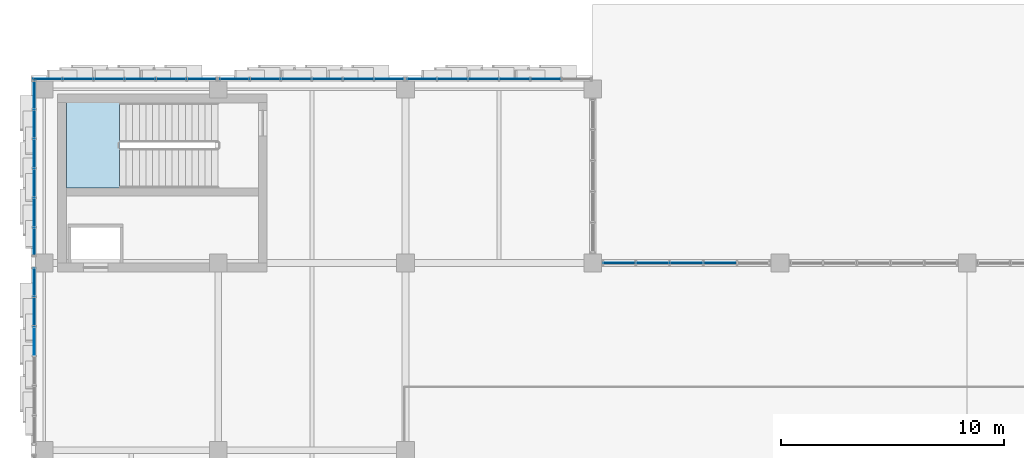
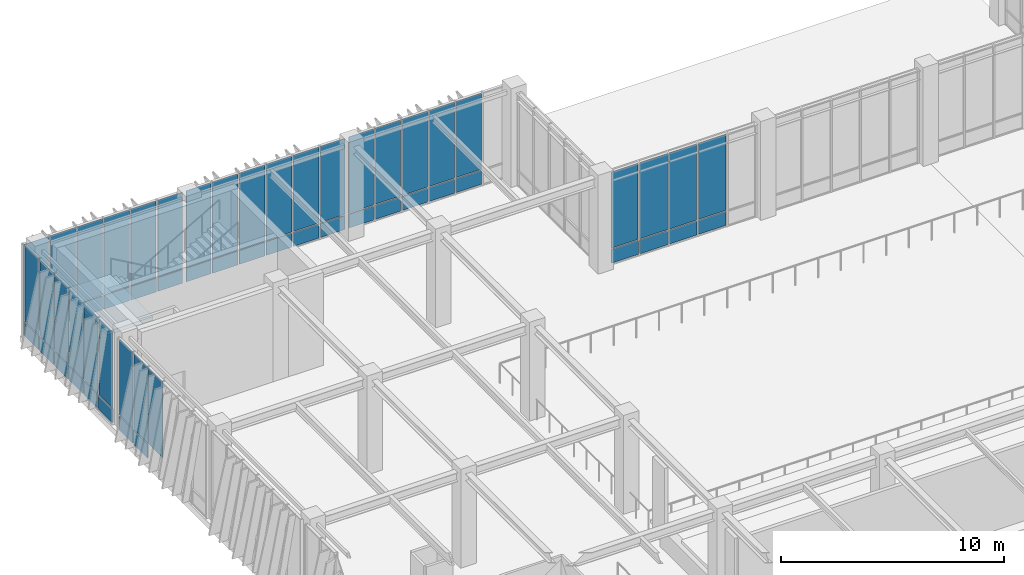
# One storey, part 93 of 139: 59 plates, 1 slab, 7 elements without a shape of their own.
"""IFC4 building model written with IfcOpenShell, lengths in metres."""

from ifc_helpers import new_model, si_unit, direction, frame, origin, origin_2d, place, context, subcontext, project, spatial, polyline, rectangle, outline, extrude, material, layer, layer_set, type_object, element, aggregate, save


model = new_model("IFC4")

# Units and contexts
model_context = context("Model", 3, precision=1e-05, world=origin(), true_north=direction((0.0, 1.0)))
body_context = subcontext(model_context, "Body", "Model", "MODEL_VIEW")
ifc_project = project(units=[si_unit("LENGTHUNIT", "METRE"), si_unit("AREAUNIT", "SQUARE_METRE"), si_unit("VOLUMEUNIT", "CUBIC_METRE"), si_unit("PLANEANGLEUNIT", "RADIAN"), si_unit("MASSUNIT", "GRAM", prefix="KILO")], contexts=[model_context])

# Site, building, storey
site_placement = place(None, origin())
site = spatial("IfcSite", under=ifc_project, at=site_placement, CompositionType="ELEMENT")
building_placement = place(site_placement, origin())
building = spatial("IfcBuilding", under=site, at=building_placement, Name="Zayran Congress Hotel", CompositionType="ELEMENT")
storey_placement = place(building_placement, frame((0.0, 0.0, 5.39990234375)))
storey = spatial("IfcBuildingStorey", under=building, at=storey_placement, Name="L01", CompositionType="ELEMENT", Elevation=5.39990234375)

# Curtain wall, plates
ifc_material_1 = material(Name="Anodised aluminium and low-E insulated glass", Category="aluminium")
ifc_layer_1 = layer(ifc_material_1, 0.179931640625)
ifc_layer_set_1 = layer_set([ifc_layer_1], Name="Anodised aluminium and low-E insulated glass")
curtain_wall_type_1 = type_object("IfcCurtainWallType", Name="CW-V1N-L01-CW-21-8360-5080", PredefinedType="USERDEFINED", material=ifc_layer_set_1)
curtain_wall_1_placement = place(storey_placement, origin())
curtain_wall_1 = element("IfcCurtainWall", 1, at=curtain_wall_1_placement, inside=storey, type_object=curtain_wall_type_1, Name="CW-V1N-L01-0", ObjectType="CURTAIN WALL", PredefinedType="USERDEFINED")
ifc_layer_2 = layer(ifc_material_1, 0.028076171875)
ifc_layer_set_2 = layer_set([ifc_layer_2], Name="Anodised aluminium and low-E insulated glass")
plate_type_1 = type_object("IfcPlateType", Name="CWP-GL-1273-4150", PredefinedType="CURTAIN_PANEL", material=ifc_layer_set_2)
plate_1_placement = place(storey_placement, frame((16.063232421875, 117.85009765625, 0.8701171875), z_axis=(0.0, 0.0, 1.0), x_axis=(1.0, 0.0, 0.0)))
plate_1 = element("IfcPlate", 2, at=plate_1_placement, type_object=plate_type_1, Name="CW-21 Glazed Panel 1", PredefinedType="CURTAIN_PANEL", context=body_context, shape_type="SweptSolid", body=[
    extrude(rectangle(XDim=1.273193359375, YDim=0.028076171875, at=origin_2d()), origin(), (0.0, 0.0, 1.0), 4.14990234375),
])
plate_2_placement = place(storey_placement, frame((14.68994140625, 117.85009765625, 0.8701171875), z_axis=(0.0, 0.0, 1.0), x_axis=(1.0, 0.0, 0.0)))
plate_2 = element("IfcPlate", 3, at=plate_2_placement, type_object=plate_type_1, Name="CW-21 Glazed Panel 2", PredefinedType="CURTAIN_PANEL", context=body_context, shape_type="SweptSolid", body=[
    extrude(rectangle(XDim=1.313232421875, YDim=0.028076171875, at=origin_2d()), origin(), (0.0, 0.0, 1.0), 4.14990234375),
])
plate_3_placement = place(storey_placement, frame((13.296630859375, 117.85009765625, 0.8701171875), z_axis=(0.0, 0.0, 1.0), x_axis=(1.0, 0.0, 0.0)))
plate_3 = element("IfcPlate", 4, at=plate_3_placement, type_object=plate_type_1, Name="CW-21 Glazed Panel 3", PredefinedType="CURTAIN_PANEL", context=body_context, shape_type="SweptSolid", body=[
    extrude(rectangle(XDim=1.313232421875, YDim=0.028076171875, at=origin_2d()), origin(), (0.0, 0.0, 1.0), 4.14990234375),
])
plate_4_placement = place(storey_placement, frame((11.9033203125, 117.85009765625, 0.8701171875), z_axis=(0.0, 0.0, 1.0), x_axis=(1.0, 0.0, 0.0)))
plate_4 = element("IfcPlate", 5, at=plate_4_placement, type_object=plate_type_1, Name="CW-21 Glazed Panel 4", PredefinedType="CURTAIN_PANEL", context=body_context, shape_type="SweptSolid", body=[
    extrude(rectangle(XDim=1.313232421875, YDim=0.028076171875, at=origin_2d()), origin(), (0.0, 0.0, 1.0), 4.14990234375),
])
plate_5_placement = place(storey_placement, frame((10.510009765625, 117.85009765625, 0.8701171875), z_axis=(0.0, 0.0, 1.0), x_axis=(1.0, 0.0, 0.0)))
plate_5 = element("IfcPlate", 6, at=plate_5_placement, type_object=plate_type_1, Name="CW-21 Glazed Panel 5", PredefinedType="CURTAIN_PANEL", context=body_context, shape_type="SweptSolid", body=[
    extrude(rectangle(XDim=1.313232421875, YDim=0.028076171875, at=origin_2d()), origin(), (0.0, 0.0, 1.0), 4.14990234375),
])
plate_6_placement = place(storey_placement, frame((9.13671875, 117.85009765625, 0.8701171875), z_axis=(0.0, 0.0, 1.0), x_axis=(1.0, 0.0, 0.0)))
plate_6 = element("IfcPlate", 7, at=plate_6_placement, type_object=plate_type_1, Name="CW-21 Glazed Panel 6", PredefinedType="CURTAIN_PANEL", context=body_context, shape_type="SweptSolid", body=[
    extrude(rectangle(XDim=1.273193359375, YDim=0.028076171875, at=origin_2d()), origin(), (0.0, 0.0, 1.0), 4.14990234375),
])

ifc_layer_3 = layer(ifc_material_1, 0.179931640625)
ifc_layer_set_3 = layer_set([ifc_layer_3], Name="Anodised aluminium and low-E insulated glass")
curtain_wall_type_2 = type_object("IfcCurtainWallType", Name="CW-V1N-L01-CW-22-8360-5080", PredefinedType="USERDEFINED", material=ifc_layer_set_3)
curtain_wall_2_placement = place(storey_placement, origin())
curtain_wall_2 = element("IfcCurtainWall", 8, at=curtain_wall_2_placement, inside=storey, type_object=curtain_wall_type_2, Name="CW-V1N-L01-1", ObjectType="CURTAIN WALL", PredefinedType="USERDEFINED")
plate_7_placement = place(storey_placement, frame((24.46337890625, 117.85009765625, 0.8701171875), z_axis=(0.0, 0.0, 1.0), x_axis=(1.0, 0.0, 0.0)))
plate_7 = element("IfcPlate", 9, at=plate_7_placement, type_object=plate_type_1, Name="CW-22 Glazed Panel 1", PredefinedType="CURTAIN_PANEL", context=body_context, shape_type="SweptSolid", body=[
    extrude(rectangle(XDim=1.273193359375, YDim=0.028076171875, at=origin_2d()), origin(), (0.0, 0.0, 1.0), 4.14990234375),
])
plate_8_placement = place(storey_placement, frame((23.090087890625, 117.85009765625, 0.8701171875), z_axis=(0.0, 0.0, 1.0), x_axis=(1.0, 0.0, 0.0)))
plate_8 = element("IfcPlate", 10, at=plate_8_placement, type_object=plate_type_1, Name="CW-22 Glazed Panel 2", PredefinedType="CURTAIN_PANEL", context=body_context, shape_type="SweptSolid", body=[
    extrude(rectangle(XDim=1.313232421875, YDim=0.028076171875, at=origin_2d()), origin(), (0.0, 0.0, 1.0), 4.14990234375),
])
plate_9_placement = place(storey_placement, frame((21.69677734375, 117.85009765625, 0.8701171875), z_axis=(0.0, 0.0, 1.0), x_axis=(1.0, 0.0, 0.0)))
plate_9 = element("IfcPlate", 11, at=plate_9_placement, type_object=plate_type_1, Name="CW-22 Glazed Panel 3", PredefinedType="CURTAIN_PANEL", context=body_context, shape_type="SweptSolid", body=[
    extrude(rectangle(XDim=1.313232421875, YDim=0.028076171875, at=origin_2d()), origin(), (0.0, 0.0, 1.0), 4.14990234375),
])
plate_10_placement = place(storey_placement, frame((20.30322265625, 117.85009765625, 0.8701171875), z_axis=(0.0, 0.0, 1.0), x_axis=(1.0, 0.0, 0.0)))
plate_10 = element("IfcPlate", 12, at=plate_10_placement, type_object=plate_type_1, Name="CW-22 Glazed Panel 4", PredefinedType="CURTAIN_PANEL", context=body_context, shape_type="SweptSolid", body=[
    extrude(rectangle(XDim=1.313232421875, YDim=0.028076171875, at=origin_2d()), origin(), (0.0, 0.0, 1.0), 4.14990234375),
])
plate_11_placement = place(storey_placement, frame((18.909912109375, 117.85009765625, 0.8701171875), z_axis=(0.0, 0.0, 1.0), x_axis=(1.0, 0.0, 0.0)))
plate_11 = element("IfcPlate", 13, at=plate_11_placement, type_object=plate_type_1, Name="CW-22 Glazed Panel 5", PredefinedType="CURTAIN_PANEL", context=body_context, shape_type="SweptSolid", body=[
    extrude(rectangle(XDim=1.313232421875, YDim=0.028076171875, at=origin_2d()), origin(), (0.0, 0.0, 1.0), 4.14990234375),
])
plate_12_placement = place(storey_placement, frame((17.53662109375, 117.85009765625, 0.8701171875), z_axis=(0.0, 0.0, 1.0), x_axis=(1.0, 0.0, 0.0)))
plate_12 = element("IfcPlate", 14, at=plate_12_placement, type_object=plate_type_1, Name="CW-22 Glazed Panel 6", PredefinedType="CURTAIN_PANEL", context=body_context, shape_type="SweptSolid", body=[
    extrude(rectangle(XDim=1.273193359375, YDim=0.028076171875, at=origin_2d()), origin(), (0.0, 0.0, 1.0), 4.14990234375),
])

ifc_layer_4 = layer(ifc_material_1, 0.179931640625)
ifc_layer_set_4 = layer_set([ifc_layer_4], Name="Anodised aluminium and low-E insulated glass")
curtain_wall_type_3 = type_object("IfcCurtainWallType", Name="CW-V1N-L01-CW-23-8360-5080", PredefinedType="USERDEFINED", material=ifc_layer_set_4)
curtain_wall_3_placement = place(storey_placement, origin())
curtain_wall_3 = element("IfcCurtainWall", 15, at=curtain_wall_3_placement, inside=storey, type_object=curtain_wall_type_3, Name="CW-V1N-L01-2", ObjectType="CURTAIN WALL", PredefinedType="USERDEFINED")
plate_13_placement = place(storey_placement, frame((31.489990234375, 117.85009765625, 0.8701171875), z_axis=(0.0, 0.0, 1.0), x_axis=(1.0, 0.0, 0.0)))
plate_13 = element("IfcPlate", 16, at=plate_13_placement, type_object=plate_type_1, Name="CW-23 Glazed Panel 2", PredefinedType="CURTAIN_PANEL", context=body_context, shape_type="SweptSolid", body=[
    extrude(rectangle(XDim=1.313232421875, YDim=0.028076171875, at=origin_2d()), origin(), (0.0, 0.0, 1.0), 4.14990234375),
])
plate_14_placement = place(storey_placement, frame((30.0966796875, 117.85009765625, 0.8701171875), z_axis=(0.0, 0.0, 1.0), x_axis=(1.0, 0.0, 0.0)))
plate_14 = element("IfcPlate", 17, at=plate_14_placement, type_object=plate_type_1, Name="CW-23 Glazed Panel 3", PredefinedType="CURTAIN_PANEL", context=body_context, shape_type="SweptSolid", body=[
    extrude(rectangle(XDim=1.313232421875, YDim=0.028076171875, at=origin_2d()), origin(), (0.0, 0.0, 1.0), 4.14990234375),
])
plate_15_placement = place(storey_placement, frame((28.703369140625, 117.85009765625, 0.8701171875), z_axis=(0.0, 0.0, 1.0), x_axis=(1.0, 0.0, 0.0)))
plate_15 = element("IfcPlate", 18, at=plate_15_placement, type_object=plate_type_1, Name="CW-23 Glazed Panel 4", PredefinedType="CURTAIN_PANEL", context=body_context, shape_type="SweptSolid", body=[
    extrude(rectangle(XDim=1.313232421875, YDim=0.028076171875, at=origin_2d()), origin(), (0.0, 0.0, 1.0), 4.14990234375),
])
plate_16_placement = place(storey_placement, frame((27.31005859375, 117.85009765625, 0.8701171875), z_axis=(0.0, 0.0, 1.0), x_axis=(1.0, 0.0, 0.0)))
plate_16 = element("IfcPlate", 19, at=plate_16_placement, type_object=plate_type_1, Name="CW-23 Glazed Panel 5", PredefinedType="CURTAIN_PANEL", context=body_context, shape_type="SweptSolid", body=[
    extrude(rectangle(XDim=1.313232421875, YDim=0.028076171875, at=origin_2d()), origin(), (0.0, 0.0, 1.0), 4.14990234375),
])
plate_17_placement = place(storey_placement, frame((25.936767578125, 117.85009765625, 0.8701171875), z_axis=(0.0, 0.0, 1.0), x_axis=(1.0, 0.0, 0.0)))
plate_17 = element("IfcPlate", 20, at=plate_17_placement, type_object=plate_type_1, Name="CW-23 Glazed Panel 6", PredefinedType="CURTAIN_PANEL", context=body_context, shape_type="SweptSolid", body=[
    extrude(rectangle(XDim=1.273193359375, YDim=0.028076171875, at=origin_2d()), origin(), (0.0, 0.0, 1.0), 4.14990234375),
])

# Plate
ifc_material_2 = material(Name="Insulated warm bronze aluminium spandrel panel", Category="aluminium")
ifc_layer_5 = layer(ifc_material_2, 0.06005859375)
ifc_layer_set_5 = layer_set([ifc_layer_5], Name="Insulated warm bronze aluminium spandrel panel")
plate_type_2 = type_object("IfcPlateType", Name="CWP-SP-1273-750", PredefinedType="CURTAIN_PANEL", material=ifc_layer_set_5)
plate_18_placement = place(storey_placement, frame((16.063232421875, 117.85009765625, 0.06005859375), z_axis=(0.0, 0.0, 1.0), x_axis=(1.0, 0.0, 0.0)))
plate_18 = element("IfcPlate", 21, at=plate_18_placement, type_object=plate_type_2, Name="CW-21 Spandrel Panel 1", PredefinedType="CURTAIN_PANEL", context=body_context, shape_type="SweptSolid", body=[
    extrude(rectangle(XDim=1.273193359375, YDim=0.06005859375, at=origin_2d()), origin(), (0.0, 0.0, 1.0), 0.75),
])

plate_19_placement = place(storey_placement, frame((14.68994140625, 117.85009765625, 0.06005859375), z_axis=(0.0, 0.0, 1.0), x_axis=(1.0, 0.0, 0.0)))
plate_19 = element("IfcPlate", 22, at=plate_19_placement, type_object=plate_type_2, Name="CW-21 Spandrel Panel 2", PredefinedType="CURTAIN_PANEL", context=body_context, shape_type="SweptSolid", body=[
    extrude(rectangle(XDim=1.313232421875, YDim=0.06005859375, at=origin_2d()), origin(), (0.0, 0.0, 1.0), 0.75),
])

plate_20_placement = place(storey_placement, frame((13.296630859375, 117.85009765625, 0.06005859375), z_axis=(0.0, 0.0, 1.0), x_axis=(1.0, 0.0, 0.0)))
plate_20 = element("IfcPlate", 23, at=plate_20_placement, type_object=plate_type_2, Name="CW-21 Spandrel Panel 3", PredefinedType="CURTAIN_PANEL", context=body_context, shape_type="SweptSolid", body=[
    extrude(rectangle(XDim=1.313232421875, YDim=0.06005859375, at=origin_2d()), origin(), (0.0, 0.0, 1.0), 0.75),
])

plate_21_placement = place(storey_placement, frame((11.9033203125, 117.85009765625, 0.06005859375), z_axis=(0.0, 0.0, 1.0), x_axis=(1.0, 0.0, 0.0)))
plate_21 = element("IfcPlate", 24, at=plate_21_placement, type_object=plate_type_2, Name="CW-21 Spandrel Panel 4", PredefinedType="CURTAIN_PANEL", context=body_context, shape_type="SweptSolid", body=[
    extrude(rectangle(XDim=1.313232421875, YDim=0.06005859375, at=origin_2d()), origin(), (0.0, 0.0, 1.0), 0.75),
])

plate_22_placement = place(storey_placement, frame((10.510009765625, 117.85009765625, 0.06005859375), z_axis=(0.0, 0.0, 1.0), x_axis=(1.0, 0.0, 0.0)))
plate_22 = element("IfcPlate", 25, at=plate_22_placement, type_object=plate_type_2, Name="CW-21 Spandrel Panel 5", PredefinedType="CURTAIN_PANEL", context=body_context, shape_type="SweptSolid", body=[
    extrude(rectangle(XDim=1.313232421875, YDim=0.06005859375, at=origin_2d()), origin(), (0.0, 0.0, 1.0), 0.75),
])

plate_23_placement = place(storey_placement, frame((9.13671875, 117.85009765625, 0.06005859375), z_axis=(0.0, 0.0, 1.0), x_axis=(1.0, 0.0, 0.0)))
plate_23 = element("IfcPlate", 26, at=plate_23_placement, type_object=plate_type_2, Name="CW-21 Spandrel Panel 6", PredefinedType="CURTAIN_PANEL", context=body_context, shape_type="SweptSolid", body=[
    extrude(rectangle(XDim=1.273193359375, YDim=0.06005859375, at=origin_2d()), origin(), (0.0, 0.0, 1.0), 0.75),
])

aggregate(curtain_wall_1, [plate_18, plate_1, plate_19, plate_2, plate_20, plate_3, plate_21, plate_4, plate_22, plate_5, plate_23, plate_6])

plate_24_placement = place(storey_placement, frame((24.46337890625, 117.85009765625, 0.06005859375), z_axis=(0.0, 0.0, 1.0), x_axis=(1.0, 0.0, 0.0)))
plate_24 = element("IfcPlate", 27, at=plate_24_placement, type_object=plate_type_2, Name="CW-22 Spandrel Panel 1", PredefinedType="CURTAIN_PANEL", context=body_context, shape_type="SweptSolid", body=[
    extrude(rectangle(XDim=1.273193359375, YDim=0.06005859375, at=origin_2d()), origin(), (0.0, 0.0, 1.0), 0.75),
])

plate_25_placement = place(storey_placement, frame((23.090087890625, 117.85009765625, 0.06005859375), z_axis=(0.0, 0.0, 1.0), x_axis=(1.0, 0.0, 0.0)))
plate_25 = element("IfcPlate", 28, at=plate_25_placement, type_object=plate_type_2, Name="CW-22 Spandrel Panel 2", PredefinedType="CURTAIN_PANEL", context=body_context, shape_type="SweptSolid", body=[
    extrude(rectangle(XDim=1.313232421875, YDim=0.06005859375, at=origin_2d()), origin(), (0.0, 0.0, 1.0), 0.75),
])

plate_26_placement = place(storey_placement, frame((21.69677734375, 117.85009765625, 0.06005859375), z_axis=(0.0, 0.0, 1.0), x_axis=(1.0, 0.0, 0.0)))
plate_26 = element("IfcPlate", 29, at=plate_26_placement, type_object=plate_type_2, Name="CW-22 Spandrel Panel 3", PredefinedType="CURTAIN_PANEL", context=body_context, shape_type="SweptSolid", body=[
    extrude(rectangle(XDim=1.313232421875, YDim=0.06005859375, at=origin_2d()), origin(), (0.0, 0.0, 1.0), 0.75),
])

plate_27_placement = place(storey_placement, frame((20.30322265625, 117.85009765625, 0.06005859375), z_axis=(0.0, 0.0, 1.0), x_axis=(1.0, 0.0, 0.0)))
plate_27 = element("IfcPlate", 30, at=plate_27_placement, type_object=plate_type_2, Name="CW-22 Spandrel Panel 4", PredefinedType="CURTAIN_PANEL", context=body_context, shape_type="SweptSolid", body=[
    extrude(rectangle(XDim=1.313232421875, YDim=0.06005859375, at=origin_2d()), origin(), (0.0, 0.0, 1.0), 0.75),
])

plate_28_placement = place(storey_placement, frame((18.909912109375, 117.85009765625, 0.06005859375), z_axis=(0.0, 0.0, 1.0), x_axis=(1.0, 0.0, 0.0)))
plate_28 = element("IfcPlate", 31, at=plate_28_placement, type_object=plate_type_2, Name="CW-22 Spandrel Panel 5", PredefinedType="CURTAIN_PANEL", context=body_context, shape_type="SweptSolid", body=[
    extrude(rectangle(XDim=1.313232421875, YDim=0.06005859375, at=origin_2d()), origin(), (0.0, 0.0, 1.0), 0.75),
])

plate_29_placement = place(storey_placement, frame((17.53662109375, 117.85009765625, 0.06005859375), z_axis=(0.0, 0.0, 1.0), x_axis=(1.0, 0.0, 0.0)))
plate_29 = element("IfcPlate", 32, at=plate_29_placement, type_object=plate_type_2, Name="CW-22 Spandrel Panel 6", PredefinedType="CURTAIN_PANEL", context=body_context, shape_type="SweptSolid", body=[
    extrude(rectangle(XDim=1.273193359375, YDim=0.06005859375, at=origin_2d()), origin(), (0.0, 0.0, 1.0), 0.75),
])

aggregate(curtain_wall_2, [plate_24, plate_7, plate_25, plate_8, plate_26, plate_9, plate_27, plate_10, plate_28, plate_11, plate_29, plate_12])

plate_30_placement = place(storey_placement, frame((31.489990234375, 117.85009765625, 0.06005859375), z_axis=(0.0, 0.0, 1.0), x_axis=(1.0, 0.0, 0.0)))
plate_30 = element("IfcPlate", 33, at=plate_30_placement, type_object=plate_type_2, Name="CW-23 Spandrel Panel 2", PredefinedType="CURTAIN_PANEL", context=body_context, shape_type="SweptSolid", body=[
    extrude(rectangle(XDim=1.313232421875, YDim=0.06005859375, at=origin_2d()), origin(), (0.0, 0.0, 1.0), 0.75),
])

plate_31_placement = place(storey_placement, frame((30.0966796875, 117.85009765625, 0.06005859375), z_axis=(0.0, 0.0, 1.0), x_axis=(1.0, 0.0, 0.0)))
plate_31 = element("IfcPlate", 34, at=plate_31_placement, type_object=plate_type_2, Name="CW-23 Spandrel Panel 3", PredefinedType="CURTAIN_PANEL", context=body_context, shape_type="SweptSolid", body=[
    extrude(rectangle(XDim=1.313232421875, YDim=0.06005859375, at=origin_2d()), origin(), (0.0, 0.0, 1.0), 0.75),
])

plate_32_placement = place(storey_placement, frame((28.703369140625, 117.85009765625, 0.06005859375), z_axis=(0.0, 0.0, 1.0), x_axis=(1.0, 0.0, 0.0)))
plate_32 = element("IfcPlate", 35, at=plate_32_placement, type_object=plate_type_2, Name="CW-23 Spandrel Panel 4", PredefinedType="CURTAIN_PANEL", context=body_context, shape_type="SweptSolid", body=[
    extrude(rectangle(XDim=1.313232421875, YDim=0.06005859375, at=origin_2d()), origin(), (0.0, 0.0, 1.0), 0.75),
])

plate_33_placement = place(storey_placement, frame((27.31005859375, 117.85009765625, 0.06005859375), z_axis=(0.0, 0.0, 1.0), x_axis=(1.0, 0.0, 0.0)))
plate_33 = element("IfcPlate", 36, at=plate_33_placement, type_object=plate_type_2, Name="CW-23 Spandrel Panel 5", PredefinedType="CURTAIN_PANEL", context=body_context, shape_type="SweptSolid", body=[
    extrude(rectangle(XDim=1.313232421875, YDim=0.06005859375, at=origin_2d()), origin(), (0.0, 0.0, 1.0), 0.75),
])

plate_34_placement = place(storey_placement, frame((25.936767578125, 117.85009765625, 0.06005859375), z_axis=(0.0, 0.0, 1.0), x_axis=(1.0, 0.0, 0.0)))
plate_34 = element("IfcPlate", 37, at=plate_34_placement, type_object=plate_type_2, Name="CW-23 Spandrel Panel 6", PredefinedType="CURTAIN_PANEL", context=body_context, shape_type="SweptSolid", body=[
    extrude(rectangle(XDim=1.273193359375, YDim=0.06005859375, at=origin_2d()), origin(), (0.0, 0.0, 1.0), 0.75),
])

aggregate(curtain_wall_3, [plate_30, plate_13, plate_31, plate_14, plate_32, plate_15, plate_33, plate_16, plate_34, plate_17])

# Curtain wall, plates
ifc_layer_6 = layer(ifc_material_1, 0.179931640625)
ifc_layer_set_6 = layer_set([ifc_layer_6], Name="Anodised aluminium and low-E insulated glass")
curtain_wall_type_4 = type_object("IfcCurtainWallType", Name="CW-V1W-L01-CW-31-7990-5080", PredefinedType="USERDEFINED", material=ifc_layer_set_6)
curtain_wall_4_placement = place(storey_placement, origin())
curtain_wall_4 = element("IfcCurtainWall", 38, at=curtain_wall_4_placement, inside=storey, type_object=curtain_wall_type_4, Name="CW-V1W-L01-4", ObjectType="CURTAIN WALL", PredefinedType="USERDEFINED")
ifc_layer_7 = layer(ifc_material_1, 0.028076171875)
ifc_layer_set_7 = layer_set([ifc_layer_7], Name="Anodised aluminium and low-E insulated glass")
plate_type_3 = type_object("IfcPlateType", Name="CWP-GL-1212-4150", PredefinedType="CURTAIN_PANEL", material=ifc_layer_set_7)
plate_35_placement = place(storey_placement, frame((8.550048828125, 108.734130859375, 0.8701171875), z_axis=(0.0, 0.0, 1.0), x_axis=(0.0, 1.0, 0.0)))
plate_35 = element("IfcPlate", 39, at=plate_35_placement, type_object=plate_type_3, Name="CW-31 Glazed Panel 1", PredefinedType="CURTAIN_PANEL", context=body_context, shape_type="SweptSolid", body=[
    extrude(rectangle(XDim=1.211669921875, YDim=0.028076171875, at=origin_2d()), origin(), (0.0, 0.0, 1.0), 4.14990234375),
])
plate_36_placement = place(storey_placement, frame((8.550048828125, 107.422607421875, 0.8701171875), z_axis=(0.0, 0.0, 1.0), x_axis=(0.0, 1.0, 0.0)))
plate_36 = element("IfcPlate", 40, at=plate_36_placement, type_object=plate_type_3, Name="CW-31 Glazed Panel 2", PredefinedType="CURTAIN_PANEL", context=body_context, shape_type="SweptSolid", body=[
    extrude(rectangle(XDim=1.251708984375, YDim=0.028076171875, at=origin_2d()), origin(), (0.0, 0.0, 1.0), 4.14990234375),
])
plate_37_placement = place(storey_placement, frame((8.550048828125, 106.0908203125, 0.8701171875), z_axis=(0.0, 0.0, 1.0), x_axis=(0.0, 1.0, 0.0)))
plate_37 = element("IfcPlate", 41, at=plate_37_placement, type_object=plate_type_3, Name="CW-31 Glazed Panel 3", PredefinedType="CURTAIN_PANEL", context=body_context, shape_type="SweptSolid", body=[
    extrude(rectangle(XDim=1.251708984375, YDim=0.028076171875, at=origin_2d()), origin(), (0.0, 0.0, 1.0), 4.14990234375),
])
ifc_layer_8 = layer(ifc_material_2, 0.06005859375)
ifc_layer_set_8 = layer_set([ifc_layer_8], Name="Insulated warm bronze aluminium spandrel panel")
plate_type_4 = type_object("IfcPlateType", Name="CWP-SP-1212-750", PredefinedType="CURTAIN_PANEL", material=ifc_layer_set_8)
plate_38_placement = place(storey_placement, frame((8.550048828125, 108.734130859375, 0.06005859375), z_axis=(0.0, 0.0, 1.0), x_axis=(0.0, 1.0, 0.0)))
plate_38 = element("IfcPlate", 42, at=plate_38_placement, type_object=plate_type_4, Name="CW-31 Spandrel Panel 1", PredefinedType="CURTAIN_PANEL", context=body_context, shape_type="SweptSolid", body=[
    extrude(rectangle(XDim=1.211669921875, YDim=0.06005859375, at=origin_2d()), origin(), (0.0, 0.0, 1.0), 0.75),
])
plate_39_placement = place(storey_placement, frame((8.550048828125, 107.422607421875, 0.06005859375), z_axis=(0.0, 0.0, 1.0), x_axis=(0.0, 1.0, 0.0)))
plate_39 = element("IfcPlate", 43, at=plate_39_placement, type_object=plate_type_4, Name="CW-31 Spandrel Panel 2", PredefinedType="CURTAIN_PANEL", context=body_context, shape_type="SweptSolid", body=[
    extrude(rectangle(XDim=1.251708984375, YDim=0.06005859375, at=origin_2d()), origin(), (0.0, 0.0, 1.0), 0.75),
])
aggregate(curtain_wall_4, [plate_38, plate_35, plate_39, plate_36, plate_37])

ifc_layer_9 = layer(ifc_material_1, 0.179931640625)
ifc_layer_set_9 = layer_set([ifc_layer_9], Name="Anodised aluminium and low-E insulated glass")
curtain_wall_type_5 = type_object("IfcCurtainWallType", Name="CW-V1W-L01-CW-32-7940-5080", PredefinedType="USERDEFINED", material=ifc_layer_set_9)
curtain_wall_5_placement = place(storey_placement, origin())
curtain_wall_5 = element("IfcCurtainWall", 44, at=curtain_wall_5_placement, inside=storey, type_object=curtain_wall_type_5, Name="CW-V1W-L01-5", ObjectType="CURTAIN WALL", PredefinedType="USERDEFINED")
ifc_layer_10 = layer(ifc_material_1, 0.028076171875)
ifc_layer_set_10 = layer_set([ifc_layer_10], Name="Anodised aluminium and low-E insulated glass")
plate_type_5 = type_object("IfcPlateType", Name="CWP-GL-1203-4150", PredefinedType="CURTAIN_PANEL", material=ifc_layer_set_10)
plate_40_placement = place(storey_placement, frame((8.550048828125, 117.13818359375, 0.8701171875), z_axis=(0.0, 0.0, 1.0), x_axis=(0.0, 1.0, 0.0)))
plate_40 = element("IfcPlate", 45, at=plate_40_placement, type_object=plate_type_5, Name="CW-32 Glazed Panel 1", PredefinedType="CURTAIN_PANEL", context=body_context, shape_type="SweptSolid", body=[
    extrude(rectangle(XDim=1.203369140625, YDim=0.028076171875, at=origin_2d()), origin(), (0.0, 0.0, 1.0), 4.14990234375),
])
plate_41_placement = place(storey_placement, frame((8.550048828125, 115.8349609375, 0.8701171875), z_axis=(0.0, 0.0, 1.0), x_axis=(0.0, 1.0, 0.0)))
plate_41 = element("IfcPlate", 46, at=plate_41_placement, type_object=plate_type_5, Name="CW-32 Glazed Panel 2", PredefinedType="CURTAIN_PANEL", context=body_context, shape_type="SweptSolid", body=[
    extrude(rectangle(XDim=1.243408203125, YDim=0.028076171875, at=origin_2d()), origin(), (0.0, 0.0, 1.0), 4.14990234375),
])
plate_42_placement = place(storey_placement, frame((8.550048828125, 114.51171875, 0.8701171875), z_axis=(0.0, 0.0, 1.0), x_axis=(0.0, 1.0, 0.0)))
plate_42 = element("IfcPlate", 47, at=plate_42_placement, type_object=plate_type_5, Name="CW-32 Glazed Panel 3", PredefinedType="CURTAIN_PANEL", context=body_context, shape_type="SweptSolid", body=[
    extrude(rectangle(XDim=1.243408203125, YDim=0.028076171875, at=origin_2d()), origin(), (0.0, 0.0, 1.0), 4.14990234375),
])
plate_43_placement = place(storey_placement, frame((8.550048828125, 113.188232421875, 0.8701171875), z_axis=(0.0, 0.0, 1.0), x_axis=(0.0, 1.0, 0.0)))
plate_43 = element("IfcPlate", 48, at=plate_43_placement, type_object=plate_type_5, Name="CW-32 Glazed Panel 4", PredefinedType="CURTAIN_PANEL", context=body_context, shape_type="SweptSolid", body=[
    extrude(rectangle(XDim=1.243408203125, YDim=0.028076171875, at=origin_2d()), origin(), (0.0, 0.0, 1.0), 4.14990234375),
])
plate_44_placement = place(storey_placement, frame((8.550048828125, 111.864990234375, 0.8701171875), z_axis=(0.0, 0.0, 1.0), x_axis=(0.0, 1.0, 0.0)))
plate_44 = element("IfcPlate", 49, at=plate_44_placement, type_object=plate_type_5, Name="CW-32 Glazed Panel 5", PredefinedType="CURTAIN_PANEL", context=body_context, shape_type="SweptSolid", body=[
    extrude(rectangle(XDim=1.243408203125, YDim=0.028076171875, at=origin_2d()), origin(), (0.0, 0.0, 1.0), 4.14990234375),
])
plate_45_placement = place(storey_placement, frame((8.550048828125, 110.561767578125, 0.8701171875), z_axis=(0.0, 0.0, 1.0), x_axis=(0.0, 1.0, 0.0)))
plate_45 = element("IfcPlate", 50, at=plate_45_placement, type_object=plate_type_5, Name="CW-32 Glazed Panel 6", PredefinedType="CURTAIN_PANEL", context=body_context, shape_type="SweptSolid", body=[
    extrude(rectangle(XDim=1.203369140625, YDim=0.028076171875, at=origin_2d()), origin(), (0.0, 0.0, 1.0), 4.14990234375),
])
ifc_layer_11 = layer(ifc_material_2, 0.06005859375)
ifc_layer_set_11 = layer_set([ifc_layer_11], Name="Insulated warm bronze aluminium spandrel panel")
plate_type_6 = type_object("IfcPlateType", Name="CWP-SP-1203-750", PredefinedType="CURTAIN_PANEL", material=ifc_layer_set_11)
plate_46_placement = place(storey_placement, frame((8.550048828125, 117.13818359375, 0.06005859375), z_axis=(0.0, 0.0, 1.0), x_axis=(0.0, 1.0, 0.0)))
plate_46 = element("IfcPlate", 51, at=plate_46_placement, type_object=plate_type_6, Name="CW-32 Spandrel Panel 1", PredefinedType="CURTAIN_PANEL", context=body_context, shape_type="SweptSolid", body=[
    extrude(rectangle(XDim=1.203369140625, YDim=0.06005859375, at=origin_2d()), origin(), (0.0, 0.0, 1.0), 0.75),
])
plate_47_placement = place(storey_placement, frame((8.550048828125, 115.8349609375, 0.06005859375), z_axis=(0.0, 0.0, 1.0), x_axis=(0.0, 1.0, 0.0)))
plate_47 = element("IfcPlate", 52, at=plate_47_placement, type_object=plate_type_6, Name="CW-32 Spandrel Panel 2", PredefinedType="CURTAIN_PANEL", context=body_context, shape_type="SweptSolid", body=[
    extrude(rectangle(XDim=1.243408203125, YDim=0.06005859375, at=origin_2d()), origin(), (0.0, 0.0, 1.0), 0.75),
])
plate_48_placement = place(storey_placement, frame((8.550048828125, 114.51171875, 0.06005859375), z_axis=(0.0, 0.0, 1.0), x_axis=(0.0, 1.0, 0.0)))
plate_48 = element("IfcPlate", 53, at=plate_48_placement, type_object=plate_type_6, Name="CW-32 Spandrel Panel 3", PredefinedType="CURTAIN_PANEL", context=body_context, shape_type="SweptSolid", body=[
    extrude(rectangle(XDim=1.243408203125, YDim=0.06005859375, at=origin_2d()), origin(), (0.0, 0.0, 1.0), 0.75),
])
plate_49_placement = place(storey_placement, frame((8.550048828125, 113.188232421875, 0.06005859375), z_axis=(0.0, 0.0, 1.0), x_axis=(0.0, 1.0, 0.0)))
plate_49 = element("IfcPlate", 54, at=plate_49_placement, type_object=plate_type_6, Name="CW-32 Spandrel Panel 4", PredefinedType="CURTAIN_PANEL", context=body_context, shape_type="SweptSolid", body=[
    extrude(rectangle(XDim=1.243408203125, YDim=0.06005859375, at=origin_2d()), origin(), (0.0, 0.0, 1.0), 0.75),
])
plate_50_placement = place(storey_placement, frame((8.550048828125, 111.864990234375, 0.06005859375), z_axis=(0.0, 0.0, 1.0), x_axis=(0.0, 1.0, 0.0)))
plate_50 = element("IfcPlate", 55, at=plate_50_placement, type_object=plate_type_6, Name="CW-32 Spandrel Panel 5", PredefinedType="CURTAIN_PANEL", context=body_context, shape_type="SweptSolid", body=[
    extrude(rectangle(XDim=1.243408203125, YDim=0.06005859375, at=origin_2d()), origin(), (0.0, 0.0, 1.0), 0.75),
])
plate_51_placement = place(storey_placement, frame((8.550048828125, 110.561767578125, 0.06005859375), z_axis=(0.0, 0.0, 1.0), x_axis=(0.0, 1.0, 0.0)))
plate_51 = element("IfcPlate", 56, at=plate_51_placement, type_object=plate_type_6, Name="CW-32 Spandrel Panel 6", PredefinedType="CURTAIN_PANEL", context=body_context, shape_type="SweptSolid", body=[
    extrude(rectangle(XDim=1.203369140625, YDim=0.06005859375, at=origin_2d()), origin(), (0.0, 0.0, 1.0), 0.75),
])
aggregate(curtain_wall_5, [plate_46, plate_40, plate_47, plate_41, plate_48, plate_42, plate_49, plate_43, plate_50, plate_44, plate_51, plate_45])

ifc_layer_12 = layer(ifc_material_1, 0.179931640625)
ifc_layer_set_12 = layer_set([ifc_layer_12], Name="Anodised aluminium and low-E insulated glass")
curtain_wall_type_6 = type_object("IfcCurtainWallType", Name="CW-V1NF-L01-CW-21-7560-5080", PredefinedType="USERDEFINED", material=ifc_layer_set_12)
curtain_wall_6_placement = place(storey_placement, origin())
curtain_wall_6 = element("IfcCurtainWall", 57, at=curtain_wall_6_placement, inside=storey, type_object=curtain_wall_type_6, Name="CW-V1NF-L01-3", ObjectType="CURTAIN WALL", PredefinedType="USERDEFINED")
ifc_layer_13 = layer(ifc_material_1, 0.028076171875)
ifc_layer_set_13 = layer_set([ifc_layer_13], Name="Anodised aluminium and low-E insulated glass")
plate_type_7 = type_object("IfcPlateType", Name="CWP-GL-1392-4150", PredefinedType="CURTAIN_PANEL", material=ifc_layer_set_13)
plate_52_placement = place(storey_placement, frame((39.31201171875, 109.60009765625, 0.8701171875), z_axis=(0.0, 0.0, 1.0), x_axis=(1.0, 0.0, 0.0)))
plate_52 = element("IfcPlate", 58, at=plate_52_placement, type_object=plate_type_7, Name="CW-21 Glazed Panel 2", PredefinedType="CURTAIN_PANEL", context=body_context, shape_type="SweptSolid", body=[
    extrude(rectangle(XDim=1.431884765625, YDim=0.028076171875, at=origin_2d()), origin(), (0.0, 0.0, 1.0), 4.14990234375),
])
plate_53_placement = place(storey_placement, frame((37.800048828125, 109.60009765625, 0.8701171875), z_axis=(0.0, 0.0, 1.0), x_axis=(1.0, 0.0, 0.0)))
plate_53 = element("IfcPlate", 59, at=plate_53_placement, type_object=plate_type_7, Name="CW-21 Glazed Panel 3", PredefinedType="CURTAIN_PANEL", context=body_context, shape_type="SweptSolid", body=[
    extrude(rectangle(XDim=1.431884765625, YDim=0.028076171875, at=origin_2d()), origin(), (0.0, 0.0, 1.0), 4.14990234375),
])
plate_54_placement = place(storey_placement, frame((36.2880859375, 109.60009765625, 0.8701171875), z_axis=(0.0, 0.0, 1.0), x_axis=(1.0, 0.0, 0.0)))
plate_54 = element("IfcPlate", 60, at=plate_54_placement, type_object=plate_type_7, Name="CW-21 Glazed Panel 4", PredefinedType="CURTAIN_PANEL", context=body_context, shape_type="SweptSolid", body=[
    extrude(rectangle(XDim=1.431884765625, YDim=0.028076171875, at=origin_2d()), origin(), (0.0, 0.0, 1.0), 4.14990234375),
])
plate_55_placement = place(storey_placement, frame((34.7958984375, 109.60009765625, 0.8701171875), z_axis=(0.0, 0.0, 1.0), x_axis=(1.0, 0.0, 0.0)))
plate_55 = element("IfcPlate", 61, at=plate_55_placement, type_object=plate_type_7, Name="CW-21 Glazed Panel 5", PredefinedType="CURTAIN_PANEL", context=body_context, shape_type="SweptSolid", body=[
    extrude(rectangle(XDim=1.39208984375, YDim=0.028076171875, at=origin_2d()), origin(), (0.0, 0.0, 1.0), 4.14990234375),
])
ifc_layer_14 = layer(ifc_material_2, 0.06005859375)
ifc_layer_set_14 = layer_set([ifc_layer_14], Name="Insulated warm bronze aluminium spandrel panel")
plate_type_8 = type_object("IfcPlateType", Name="CWP-SP-1392-750", PredefinedType="CURTAIN_PANEL", material=ifc_layer_set_14)
plate_56_placement = place(storey_placement, frame((39.31201171875, 109.60009765625, 0.06005859375), z_axis=(0.0, 0.0, 1.0), x_axis=(1.0, 0.0, 0.0)))
plate_56 = element("IfcPlate", 62, at=plate_56_placement, type_object=plate_type_8, Name="CW-21 Spandrel Panel 2", PredefinedType="CURTAIN_PANEL", context=body_context, shape_type="SweptSolid", body=[
    extrude(rectangle(XDim=1.431884765625, YDim=0.06005859375, at=origin_2d()), origin(), (0.0, 0.0, 1.0), 0.75),
])
plate_57_placement = place(storey_placement, frame((37.800048828125, 109.60009765625, 0.06005859375), z_axis=(0.0, 0.0, 1.0), x_axis=(1.0, 0.0, 0.0)))
plate_57 = element("IfcPlate", 63, at=plate_57_placement, type_object=plate_type_8, Name="CW-21 Spandrel Panel 3", PredefinedType="CURTAIN_PANEL", context=body_context, shape_type="SweptSolid", body=[
    extrude(rectangle(XDim=1.431884765625, YDim=0.06005859375, at=origin_2d()), origin(), (0.0, 0.0, 1.0), 0.75),
])
plate_58_placement = place(storey_placement, frame((36.2880859375, 109.60009765625, 0.06005859375), z_axis=(0.0, 0.0, 1.0), x_axis=(1.0, 0.0, 0.0)))
plate_58 = element("IfcPlate", 64, at=plate_58_placement, type_object=plate_type_8, Name="CW-21 Spandrel Panel 4", PredefinedType="CURTAIN_PANEL", context=body_context, shape_type="SweptSolid", body=[
    extrude(rectangle(XDim=1.431884765625, YDim=0.06005859375, at=origin_2d()), origin(), (0.0, 0.0, 1.0), 0.75),
])
plate_59_placement = place(storey_placement, frame((34.7958984375, 109.60009765625, 0.06005859375), z_axis=(0.0, 0.0, 1.0), x_axis=(1.0, 0.0, 0.0)))
plate_59 = element("IfcPlate", 65, at=plate_59_placement, type_object=plate_type_8, Name="CW-21 Spandrel Panel 5", PredefinedType="CURTAIN_PANEL", context=body_context, shape_type="SweptSolid", body=[
    extrude(rectangle(XDim=1.39208984375, YDim=0.06005859375, at=origin_2d()), origin(), (0.0, 0.0, 1.0), 0.75),
])
aggregate(curtain_wall_6, [plate_56, plate_52, plate_57, plate_53, plate_58, plate_54, plate_59, plate_55])

# Stair, slab
ifc_material_3 = material(Name="Concrete C32/40", Category="concrete")
stair_type = type_object("IfcStairType", Name="TP-STR-1800-54", PredefinedType="USERDEFINED", material=ifc_material_3)
stair_placement = place(storey_placement, origin())
stair = element("IfcStair", 66, at=stair_placement, inside=storey, type_object=stair_type, Name="L01 ST-03", ObjectType="TWO_RETURN_STAIR", PredefinedType="USERDEFINED")
ifc_layer_15 = layer(ifc_material_3, 0.199951171875)
ifc_layer_set_15 = layer_set([ifc_layer_15], Name="Concrete C32/40")
slab_type = type_object("IfcSlabType", Name="TP-LND-1800", PredefinedType="LANDING", material=ifc_layer_set_15)
slab_placement = place(storey_placement, frame((0.0, 0.0, 2.5)))
slab = element("IfcSlab", 67, at=slab_placement, type_object=slab_type, Name="ST-03 landing 1", PredefinedType="LANDING", context=body_context, shape_type="SweptSolid", body=[
    extrude(outline(polyline([(12.375, 116.800048828125), (10.0, 116.800048828125), (10.0, 112.9599609375), (12.375, 112.9599609375), (12.375, 116.800048828125)])), origin(), (0.0, 0.0, 1.0), 0.2001953125),
])
aggregate(stair, [slab])

save(model, "model.ifc")
